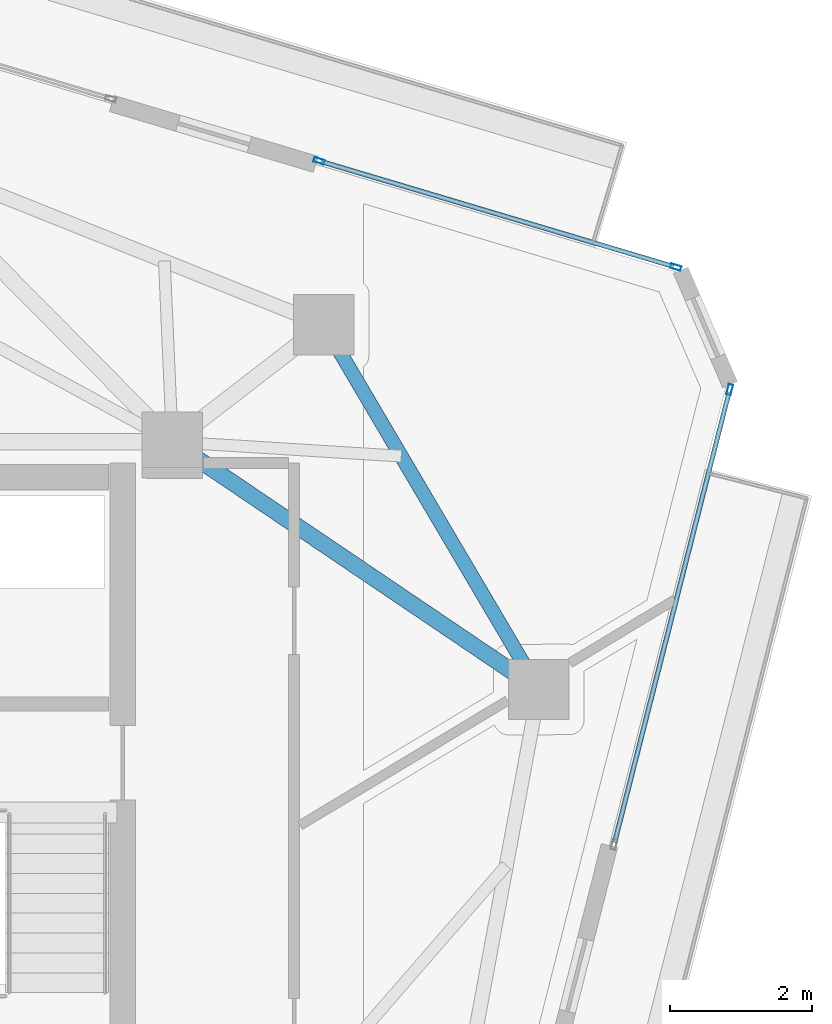
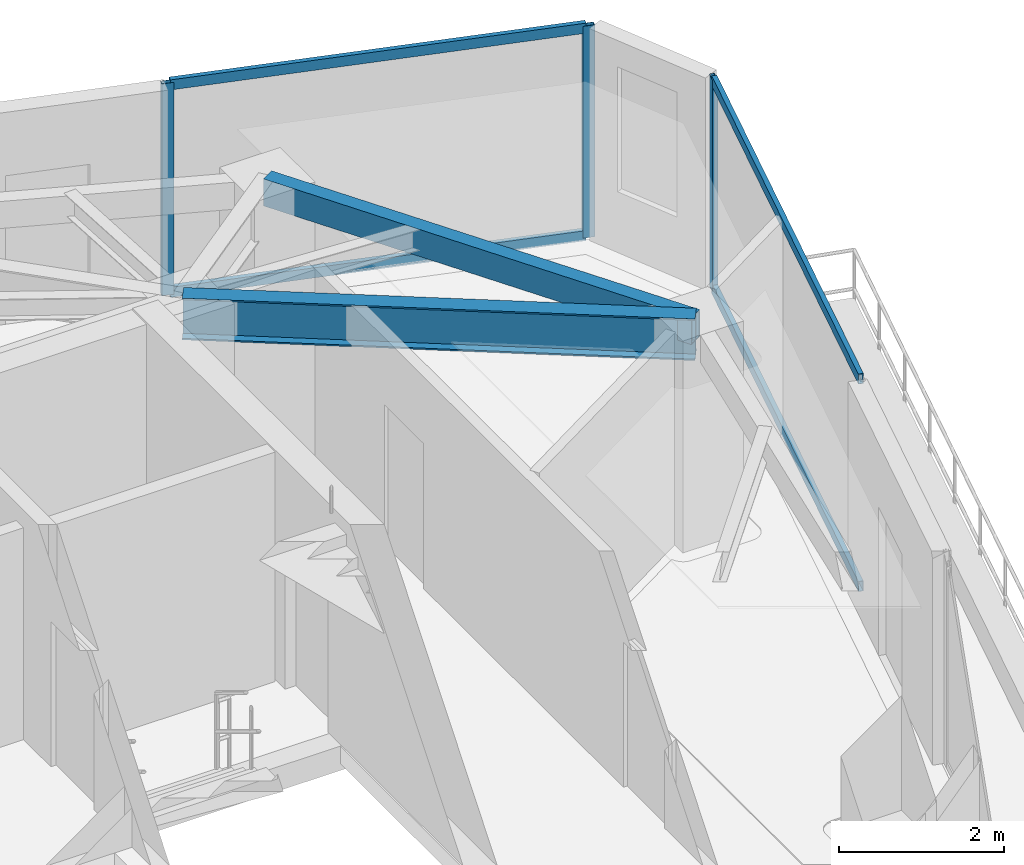
# One storey, part 14 of 20: 7 members, 2 beams, 2 elements without a shape of their own.
"""IFC4 building model written with IfcOpenShell, lengths in metres."""

from ifc_helpers import new_model, si_unit, direction, frame, origin, origin_2d, place, context, subcontext, project, spatial, hollow_rectangle, i_section, extrude, source, transform, mapped, material, layer, layer_set, material_profile, profile_set, type_object, type_shapes, element, aggregate, save


model = new_model("IFC4")

# Units and contexts
model_context = context("Model", 3, precision=1e-05, world=origin(), true_north=direction((0.0, 1.0)))
body_context = subcontext(model_context, "Body", "Model", "MODEL_VIEW")
ifc_project = project(units=[si_unit("LENGTHUNIT", "METRE"), si_unit("AREAUNIT", "SQUARE_METRE"), si_unit("VOLUMEUNIT", "CUBIC_METRE"), si_unit("PLANEANGLEUNIT", "RADIAN"), si_unit("MASSUNIT", "GRAM", prefix="KILO")], contexts=[model_context])

# Site, building, storey
site_placement = place(None, origin())
site = spatial("IfcSite", under=ifc_project, at=site_placement, CompositionType="ELEMENT")
building_placement = place(site_placement, origin())
building = spatial("IfcBuilding", under=site, at=building_placement, Name="Talar Marvaseh", CompositionType="ELEMENT")
storey_placement = place(building_placement, frame((0.0, 0.0, 251.0)))
storey = spatial("IfcBuildingStorey", under=building, at=storey_placement, Name="L66", CompositionType="ELEMENT", Elevation=251.0)

# Beams
ifc_material_1 = material(Name="Steel S355", Category="steel")
ifc_material_profile_1 = material_profile(ifc_material_1, hollow_rectangle(XDim=0.199951171875, YDim=0.39990234375, WallThickness=0.013916015625, at=origin_2d()), Name="RHS400x200x14")
ifc_profile_set_1 = profile_set([ifc_material_profile_1], Name="Steel S355")
beam_type_1 = type_object("IfcBeamType", Name="Zone 3 Perimeter Spandrel Beam RHS400x200x14", PredefinedType="SPANDREL", material=ifc_profile_set_1)
beam_1_placement = place(storey_placement, frame((35.43798828125, 38.551025390625, 2.93994140625), z_axis=(0.507825587611, -0.861459907696, 0.0), x_axis=(0.861459907696, 0.507825587611, 0.0)))
element("IfcBeam", 1, at=beam_1_placement, inside=storey, type_object=beam_type_1, Name="L66 Zone 3 Perimeter Spandrel Beam RHS400x200x14", PredefinedType="SPANDREL", context=body_context, shape_type="SweptSolid", body=[
    extrude(hollow_rectangle(XDim=0.199951171875, YDim=0.39990234375, WallThickness=0.013916015625, at=origin_2d()), origin(), (0.0, 0.0, 1.0), 5.972412109375),
])
ifc_material_profile_2 = material_profile(ifc_material_1, i_section(OverallWidth=0.22998046875, OverallDepth=0.616943359375, WebThickness=0.01318359375, FlangeThickness=0.022216796875, at=origin_2d()), Name="W610x140")
ifc_profile_set_2 = profile_set([ifc_material_profile_2], Name="Steel S355")
beam_type_2 = type_object("IfcBeamType", Name="Zone 4 Radial Floor Girder W610x140", PredefinedType="BEAM", material=ifc_profile_set_2)
beam_2_placement = place(storey_placement, frame((38.470947265625, 33.406005859375, 2.83154296875), z_axis=(-0.828585535277, 0.559862492698, 0.0), x_axis=(-0.559862492698, -0.828585535277, 0.0)))
element("IfcBeam", 2, at=beam_2_placement, inside=storey, type_object=beam_type_2, Name="L66 Zone 4 Radial Floor Girder W610x140", PredefinedType="BEAM", context=body_context, shape_type="SweptSolid", body=[
    extrude(i_section(OverallWidth=0.22998046875, OverallDepth=0.616943359375, WebThickness=0.01318359375, FlangeThickness=0.022216796875, at=origin_2d()), origin(), (0.0, 0.0, 1.0), 6.24072265625),
])

# Curtain wall, members
ifc_material_2 = material(Name="Architectural Aluminium", Category="aluminium")
ifc_layer = layer(ifc_material_2, 0.179931640625)
ifc_layer_set = layer_set([ifc_layer], Name="Architectural Aluminium")
curtain_wall_type = type_object("IfcCurtainWallType", Name="Unitised High-Wind Sky Curtain Wall Z4", PredefinedType="NOTDEFINED", material=ifc_layer_set)
curtain_wall_1_placement = place(storey_placement, origin())
curtain_wall_1 = element("IfcCurtainWall", 3, at=curtain_wall_1_placement, inside=storey, type_object=curtain_wall_type, Name="L66 Unitised High-Wind Sky Curtain Wall Z4", PredefinedType="NOTDEFINED")
ifc_material_profile_3 = material_profile(ifc_material_2, hollow_rectangle(XDim=0.06494140625, YDim=0.14990234375, WallThickness=0.00390625, at=origin_2d()), Name="RHS150x65x4")
ifc_profile_set_3 = profile_set([ifc_material_profile_3], Name="Architectural Aluminium")
member_type_1 = type_object("IfcMemberType", Name="Unitised Curtain Wall Slim Mullion RHS150x65x4", PredefinedType="MULLION", material=ifc_profile_set_3)
shared_shape_1 = source(origin(), body_context, "Body", "SweptSolid", [
    extrude(hollow_rectangle(XDim=0.06494140625, YDim=0.14990234375, WallThickness=0.00390625, at=origin_2d()), origin(), (0.0, 0.0, 1.0), 3.139892578125),
])
type_shapes(member_type_1, [shared_shape_1])
member_1_placement = place(storey_placement, frame((35.36962890625, 40.864501953125, 0.0), z_axis=(0.0, 0.0, 1.0), x_axis=(0.285622118907, 0.958342321507, 0.0)))
member_1 = element("IfcMember", 4, at=member_1_placement, type_object=member_type_1, Name="CW-Z4 mullion 1", PredefinedType="MULLION", context=body_context, shape_type="MappedRepresentation", body=[
    mapped(shared_shape_1, transform((0.0, 0.0, 0.0), x_axis=(1.0, 0.0, 0.0), y_axis=(0.0, 1.0, 0.0), z_axis=(0.0, 0.0, 1.0), scale=1.0)),
])
member_2_placement = place(storey_placement, frame((40.4033203125, 39.3642578125, 0.0), z_axis=(0.0, 0.0, 1.0), x_axis=(0.285622118907, 0.958342321507, 0.0)))
member_2 = element("IfcMember", 5, at=member_2_placement, type_object=member_type_1, Name="CW-Z4 mullion 2", PredefinedType="MULLION", context=body_context, shape_type="MappedRepresentation", body=[
    mapped(shared_shape_1, transform((0.0, 0.0, 0.0), x_axis=(1.0, 0.0, 0.0), y_axis=(0.0, 1.0, 0.0), z_axis=(0.0, 0.0, 1.0), scale=1.0)),
])

# Curtain wall, member
curtain_wall_2_placement = place(storey_placement, origin())
curtain_wall_2 = element("IfcCurtainWall", 6, at=curtain_wall_2_placement, inside=storey, type_object=curtain_wall_type, Name="L66 Unitised High-Wind Sky Curtain Wall Z4", PredefinedType="NOTDEFINED")
member_3_placement = place(storey_placement, frame((41.16357421875, 37.63671875, 0.0), z_axis=(0.0, 0.0, 1.0), x_axis=(0.969193888648, -0.246299017878, 0.0)))
member_3 = element("IfcMember", 7, at=member_3_placement, type_object=member_type_1, Name="CW-Z4 mullion 1", PredefinedType="MULLION", context=body_context, shape_type="MappedRepresentation", body=[
    mapped(shared_shape_1, transform((0.0, 0.0, 0.0), x_axis=(1.0, 0.0, 0.0), y_axis=(0.0, 1.0, 0.0), z_axis=(0.0, 0.0, 1.0), scale=1.0)),
])

# Member
ifc_material_profile_4 = material_profile(ifc_material_2, hollow_rectangle(XDim=0.06494140625, YDim=0.14990234375, WallThickness=0.00390625, at=origin_2d()), Name="RHS150x65x4")
ifc_profile_set_4 = profile_set([ifc_material_profile_4], Name="Architectural Aluminium")
member_type_2 = type_object("IfcMemberType", Name="Unitised Curtain Wall Slim Transom RHS150x65x4", PredefinedType="USERDEFINED", material=ifc_profile_set_4)
shared_shape_2 = source(origin(), body_context, "Body", "SweptSolid", [
    extrude(hollow_rectangle(XDim=0.06494140625, YDim=0.14990234375, WallThickness=0.00390625, at=origin_2d()), origin(), (0.0, 0.0, 1.0), 5.1875),
])
member_4_placement = place(storey_placement, frame((35.40087890625, 40.855224609375, 0.032470703125), z_axis=(0.958341564144, -0.285624660059, 0.0), x_axis=(0.285624660059, 0.958341564144, 0.0)))
member_4 = element("IfcMember", 8, at=member_4_placement, type_object=member_type_2, Name="CW-Z4 transom 1.1", ObjectType="TRANSOM", PredefinedType="USERDEFINED", context=body_context, shape_type="MappedRepresentation", body=[
    mapped(shared_shape_2, transform((0.0, 0.0, 0.0), x_axis=(1.0, 0.0, 0.0), y_axis=(0.0, 1.0, 0.0), z_axis=(0.0, 0.0, 1.0), scale=1.0)),
])

member_5_placement = place(storey_placement, frame((35.40087890625, 40.855224609375, 3.107421875), z_axis=(0.958341564144, -0.285624660059, 0.0), x_axis=(0.285624660059, 0.958341564144, 0.0)))
member_5 = element("IfcMember", 9, at=member_5_placement, type_object=member_type_2, Name="CW-Z4 transom 1.2", ObjectType="TRANSOM", PredefinedType="USERDEFINED", context=body_context, shape_type="MappedRepresentation", body=[
    mapped(shared_shape_2, transform((0.0, 0.0, 0.0), x_axis=(1.0, 0.0, 0.0), y_axis=(0.0, 1.0, 0.0), z_axis=(0.0, 0.0, 1.0), scale=1.0)),
])

aggregate(curtain_wall_1, [member_1, member_2, member_4, member_5])

shared_shape_3 = source(origin(), body_context, "Body", "SweptSolid", [
    extrude(hollow_rectangle(XDim=0.06494140625, YDim=0.14990234375, WallThickness=0.00390625, at=origin_2d()), origin(), (0.0, 0.0, 1.0), 6.556396484375),
])
type_shapes(member_type_2, [shared_shape_2, shared_shape_3])
member_6_placement = place(storey_placement, frame((41.15576171875, 37.605224609375, 0.032470703125), z_axis=(-0.246318749142, -0.969188874173, 0.0), x_axis=(0.969188874173, -0.246318749142, 0.0)))
member_6 = element("IfcMember", 10, at=member_6_placement, type_object=member_type_2, Name="CW-Z4 transom 1.1", ObjectType="TRANSOM", PredefinedType="USERDEFINED", context=body_context, shape_type="MappedRepresentation", body=[
    mapped(shared_shape_3, transform((0.0, 0.0, 0.0), x_axis=(1.0, 0.0, 0.0), y_axis=(0.0, 1.0, 0.0), z_axis=(0.0, 0.0, 1.0), scale=1.0)),
])

member_7_placement = place(storey_placement, frame((41.15576171875, 37.605224609375, 3.107421875), z_axis=(-0.246318749142, -0.969188874173, 0.0), x_axis=(0.969188874173, -0.246318749142, 0.0)))
member_7 = element("IfcMember", 11, at=member_7_placement, type_object=member_type_2, Name="CW-Z4 transom 1.2", ObjectType="TRANSOM", PredefinedType="USERDEFINED", context=body_context, shape_type="MappedRepresentation", body=[
    mapped(shared_shape_3, transform((0.0, 0.0, 0.0), x_axis=(1.0, 0.0, 0.0), y_axis=(0.0, 1.0, 0.0), z_axis=(0.0, 0.0, 1.0), scale=1.0)),
])

aggregate(curtain_wall_2, [member_3, member_6, member_7])

save(model, "model.ifc")
